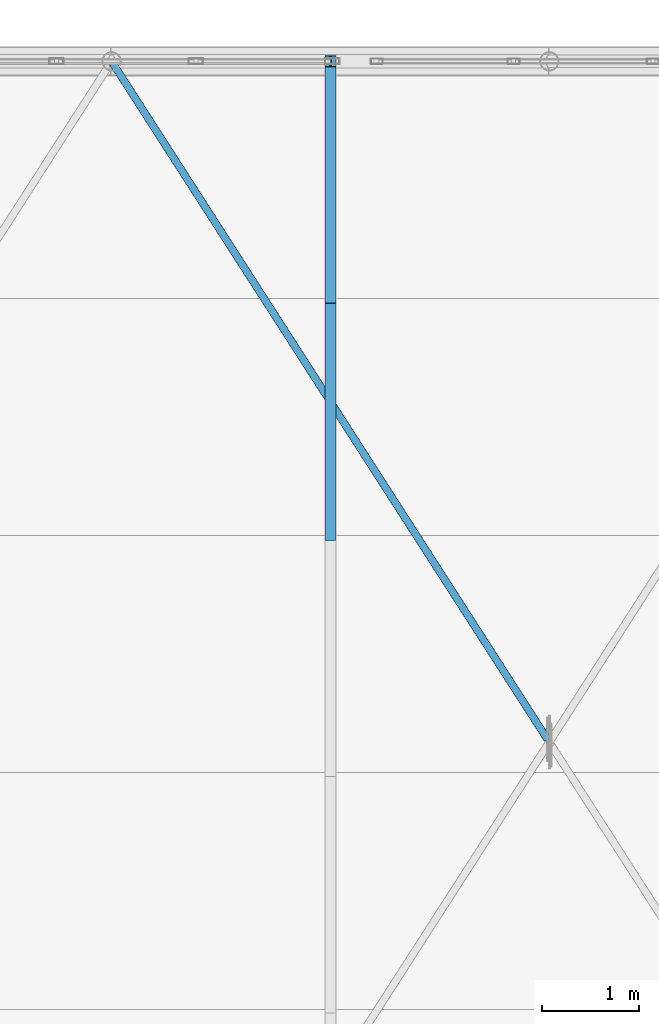
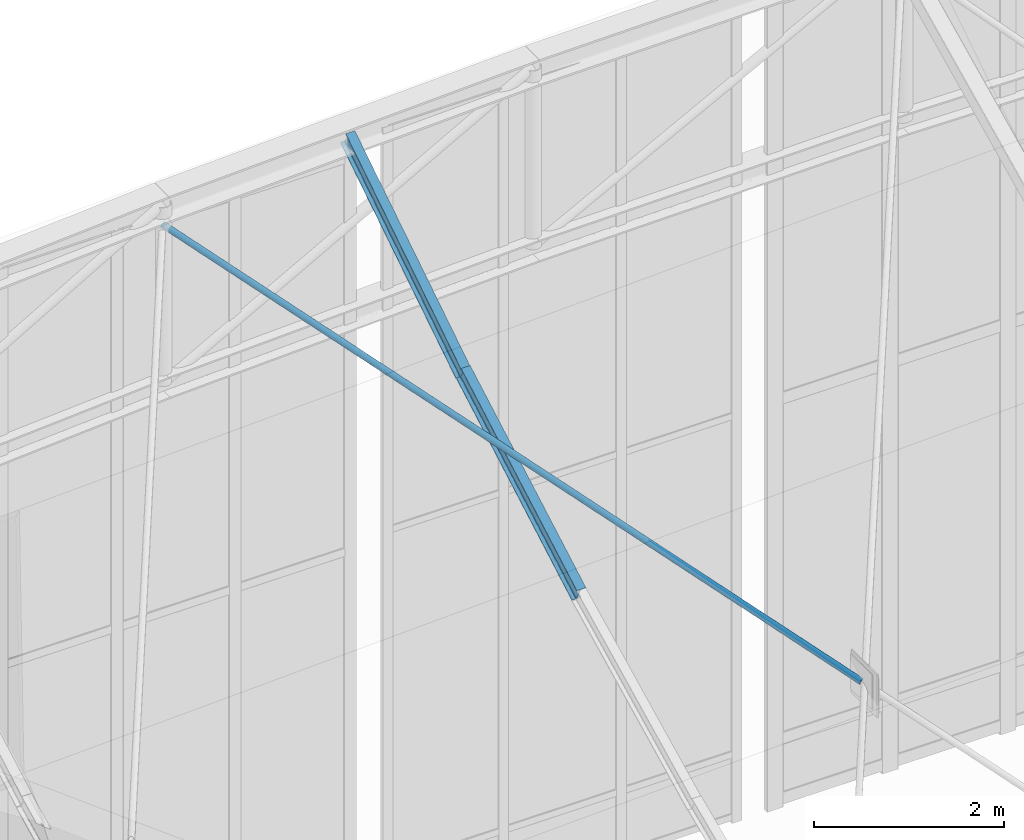
# One storey, part 208 of 262: 3 members.
"""IFC4 building model written with IfcOpenShell, lengths in metres."""

from ifc_helpers import new_model, si_unit, derived_unit, direction, frame, origin, origin_2d, place, context, subcontext, project, spatial, hollow_circle, i_section, extrude, material, material_profile, profile_set, type_object, element, save


model = new_model("IFC4")

# Units and contexts
model_context = context("Model", 3, precision=1e-05, world=origin(), true_north=direction((0.0, 1.0)))
body_context = subcontext(model_context, "Body", "Model", "MODEL_VIEW")
ifc_project = project(units=[si_unit("LENGTHUNIT", "METRE"), si_unit("AREAUNIT", "SQUARE_METRE"), si_unit("VOLUMEUNIT", "CUBIC_METRE"), si_unit("PLANEANGLEUNIT", "RADIAN"), si_unit("MASSUNIT", "GRAM", prefix="KILO"), derived_unit("THERMALTRANSMITTANCEUNIT", [(si_unit("POWERUNIT", "WATT"), 1), (si_unit("LENGTHUNIT", "METRE"), -2), (si_unit("THERMODYNAMICTEMPERATUREUNIT", "KELVIN"), -1)])], contexts=[model_context])

# Site, building, storey
site_placement = place(None, origin())
site = spatial("IfcSite", under=ifc_project, at=site_placement, CompositionType="ELEMENT")
building_placement = place(site_placement, origin())
building = spatial("IfcBuilding", under=site, at=building_placement, Name="Almenara Railside Exhibition Hall", CompositionType="ELEMENT")
storey_placement = place(building_placement, frame((0.0, 0.0, 21.699951171875)))
storey = spatial("IfcBuildingStorey", under=building, at=storey_placement, Name="RF", CompositionType="ELEMENT", Elevation=21.699951171875)

# Members
ifc_material = material(Name="Structural steel S355JR", Category="steel")
ifc_material_profile_1 = material_profile(ifc_material, i_section(OverallWidth=0.110107421875, OverallDepth=0.219970703125, WebThickness=0.005859375, FlangeThickness=0.00927734375, FilletRadius=0.011962890625, at=origin_2d()), Name="IPE 220")
ifc_profile_set_1 = profile_set([ifc_material_profile_1], Name="Structural steel S355JR")
member_type_1 = type_object("IfcMemberType", Name="Heavy Hall Roof Purlin IPE 220 S355JR", PredefinedType="PURLIN", material=ifc_profile_set_1)
member_1_placement = place(storey_placement, frame((158.25, 127.126708984375, 0.789794921875), z_axis=(0.0, 0.870483227181, 0.492198081261), x_axis=(-1.0, 0.0, 0.0)))
element("IfcMember", 1, at=member_1_placement, inside=storey, type_object=member_type_1, Name="MEM-PR-V2-PR-IPE220-03-26", PredefinedType="PURLIN", context=body_context, shape_type="SweptSolid", body=[
    extrude(i_section(OverallWidth=0.110107421875, OverallDepth=0.219970703125, WebThickness=0.005859375, FlangeThickness=0.00927734375, FilletRadius=0.011962890625, at=origin_2d()), origin(), (0.0, 0.0, 1.0), 2.799072265625),
])
member_2_placement = place(storey_placement, frame((158.25, 129.563232421875, 2.15625), z_axis=(0.0, 0.842226955435, 0.539123135785), x_axis=(-1.0, 0.0, 0.0)))
element("IfcMember", 2, at=member_2_placement, inside=storey, type_object=member_type_1, Name="MEM-PR-V2-PR-IPE220-03-27", PredefinedType="PURLIN", context=body_context, shape_type="SweptSolid", body=[
    extrude(i_section(OverallWidth=0.110107421875, OverallDepth=0.219970703125, WebThickness=0.005859375, FlangeThickness=0.00927734375, FilletRadius=0.011962890625, at=origin_2d()), origin(), (0.0, 0.0, 1.0), 2.893310546875),
])
ifc_material_profile_2 = material_profile(ifc_material, hollow_circle(Radius=0.0380859375, WallThickness=0.003662109375, at=origin_2d()), Name="CHS 76.1x3.6")
ifc_profile_set_2 = profile_set([ifc_material_profile_2], Name="Structural steel S355JR")
member_type_2 = type_object("IfcMemberType", Name="Lantern Cross-Tie Brace CHS 76.1x3.6 S355JR", PredefinedType="BRACE", material=ifc_profile_set_2)
member_3_placement = place(storey_placement, frame((160.478759765625, 125.032958984375, 0.15478515625), z_axis=(-0.503984535325, 0.783985101366, 0.362445787655), x_axis=(-0.841181348561, -0.540753121889, 0.0)))
element("IfcMember", 3, at=member_3_placement, inside=storey, type_object=member_type_2, Name="MEM-WB-V2-WB-CHS76-06-04-S2", PredefinedType="BRACE", context=body_context, shape_type="SweptSolid", body=[
    extrude(hollow_circle(Radius=0.0380859375, WallThickness=0.003662109375, at=origin_2d()), origin(), (0.0, 0.0, 1.0), 8.88671875),
])

save(model, "model.ifc")
